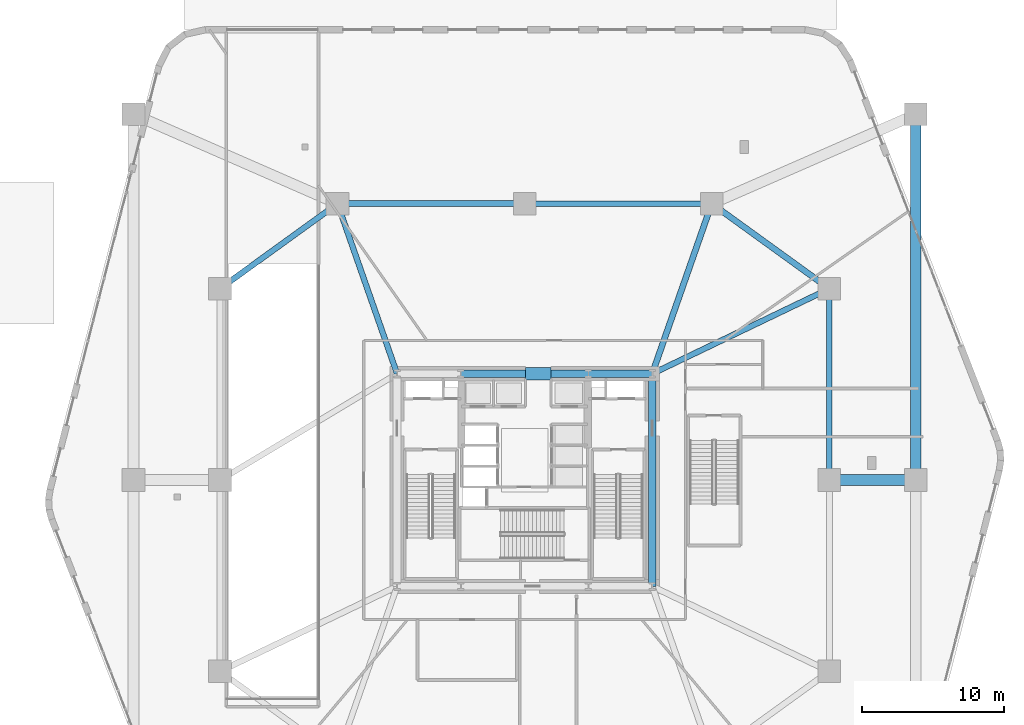
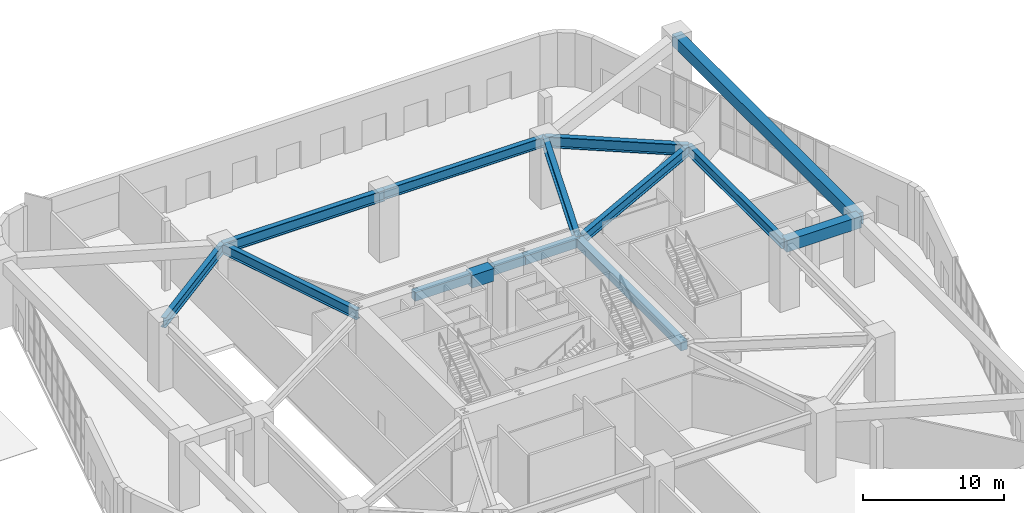
# One storey, part 18 of 35: 14 beams.
"""IFC4 building model written with IfcOpenShell, lengths in metres."""

from ifc_helpers import new_model, si_unit, direction, frame, origin, origin_2d, place, context, subcontext, project, spatial, rectangle, i_section, extrude, material, material_profile, profile_set, type_object, element, save


model = new_model("IFC4")

# Units and contexts
model_context = context("Model", 3, precision=1e-05, world=origin(), true_north=direction((0.0, 1.0)))
body_context = subcontext(model_context, "Body", "Model", "MODEL_VIEW")
ifc_project = project(units=[si_unit("LENGTHUNIT", "METRE"), si_unit("AREAUNIT", "SQUARE_METRE"), si_unit("VOLUMEUNIT", "CUBIC_METRE"), si_unit("PLANEANGLEUNIT", "RADIAN"), si_unit("MASSUNIT", "GRAM", prefix="KILO")], contexts=[model_context])

# Site, building, storey
site_placement = place(None, origin())
site = spatial("IfcSite", under=ifc_project, at=site_placement, CompositionType="ELEMENT")
building_placement = place(site_placement, origin())
building = spatial("IfcBuilding", under=site, at=building_placement, Name="Kilnhurst Terrace Hotel", CompositionType="ELEMENT")
storey_placement = place(building_placement, origin())
storey = spatial("IfcBuildingStorey", under=building, at=storey_placement, Name="L00", CompositionType="ELEMENT", Elevation=0.0)

# Beams
ifc_material_1 = material(Name="Concrete C50/60", Category="concrete")
ifc_material_profile_1 = material_profile(ifc_material_1, rectangle(XDim=0.550048828125, YDim=0.75, at=origin_2d()), Name="RC550X750")
ifc_profile_set_1 = profile_set([ifc_material_profile_1], Name="Concrete C50/60")
beam_type_1 = type_object("IfcBeamType", Name="BM-SPN-550X750", PredefinedType="SPANDREL", material=ifc_profile_set_1)
beam_1_placement = place(storey_placement, frame((-4.5, 7.5, 5.304931640625), z_axis=(1.0, 0.0, 0.0), x_axis=(0.0, 1.0, 0.0)))
element("IfcBeam", 1, at=beam_1_placement, inside=storey, type_object=beam_type_1, Name="L00 Core Tie Beam CC-NC1 to CC-NC2", PredefinedType="SPANDREL", context=body_context, shape_type="SweptSolid", body=[
    extrude(rectangle(XDim=0.550048828125, YDim=0.75, at=origin_2d()), origin(), (0.0, 0.0, 1.0), 9.0),
])
beam_2_placement = place(storey_placement, frame((4.5, 7.5, 5.304931640625), z_axis=(1.0, 0.0, 0.0), x_axis=(0.0, 1.0, 0.0)))
element("IfcBeam", 2, at=beam_2_placement, inside=storey, type_object=beam_type_1, Name="L00 Core Tie Beam CC-NC2 to CC-NE", PredefinedType="SPANDREL", context=body_context, shape_type="SweptSolid", body=[
    extrude(rectangle(XDim=0.550048828125, YDim=0.75, at=origin_2d()), origin(), (0.0, 0.0, 1.0), 4.5),
])
beam_3_placement = place(storey_placement, frame((9.0, -7.5, 5.304931640625), z_axis=(0.0, 1.0, 0.0), x_axis=(-1.0, 0.0, 0.0)))
element("IfcBeam", 3, at=beam_3_placement, inside=storey, type_object=beam_type_1, Name="L00 Core Tie Beam CC-SE to CC-NE", PredefinedType="SPANDREL", context=body_context, shape_type="SweptSolid", body=[
    extrude(rectangle(XDim=0.550048828125, YDim=0.75, at=origin_2d()), origin(), (0.0, 0.0, 1.0), 15.0),
])
ifc_material_2 = material(Name="Steel ASTM A992 Grade 50", Category="steel")
ifc_material_profile_2 = material_profile(ifc_material_2, i_section(OverallWidth=0.39990234375, OverallDepth=0.85546875, WebThickness=0.018310546875, FlangeThickness=0.029296875, at=origin_2d()), Name="W33X201")
ifc_profile_set_2 = profile_set([ifc_material_profile_2], Name="Steel ASTM A992 Grade 50")
beam_type_2 = type_object("IfcBeamType", Name="BM-STL-W33X201", PredefinedType="BEAM", material=ifc_profile_set_2)
beam_4_placement = place(storey_placement, frame((-21.5, 13.5, 5.251953125), z_axis=(0.810423314702, 0.585844732833, 0.0), x_axis=(-0.585844732833, 0.810423314702, 0.0)))
element("IfcBeam", 4, at=beam_4_placement, inside=storey, type_object=beam_type_2, Name="L00 Podium Frame Beam 3", PredefinedType="BEAM", context=body_context, shape_type="SweptSolid", body=[
    extrude(i_section(OverallWidth=0.39990234375, OverallDepth=0.85546875, WebThickness=0.018310546875, FlangeThickness=0.029296875, at=origin_2d()), origin(), (0.0, 0.0, 1.0), 10.24169921875),
])
beam_5_placement = place(storey_placement, frame((0.0, 19.5, 5.251953125), z_axis=(1.0, 0.0, 0.0), x_axis=(0.0, 1.0, 0.0)))
element("IfcBeam", 5, at=beam_5_placement, inside=storey, type_object=beam_type_2, Name="L00 Podium Frame Beam 5", PredefinedType="BEAM", context=body_context, shape_type="SweptSolid", body=[
    extrude(i_section(OverallWidth=0.39990234375, OverallDepth=0.85546875, WebThickness=0.018310546875, FlangeThickness=0.029296875, at=origin_2d()), origin(), (0.0, 0.0, 1.0), 13.199951171875),
])
beam_6_placement = place(storey_placement, frame((21.5, 13.5, 5.251953125), z_axis=(0.0, -1.0, 0.0), x_axis=(1.0, 0.0, 0.0)))
element("IfcBeam", 6, at=beam_6_placement, inside=storey, type_object=beam_type_2, Name="L00 Podium Frame Beam 7", PredefinedType="BEAM", context=body_context, shape_type="SweptSolid", body=[
    extrude(i_section(OverallWidth=0.39990234375, OverallDepth=0.85546875, WebThickness=0.018310546875, FlangeThickness=0.029296875, at=origin_2d()), origin(), (0.0, 0.0, 1.0), 13.5),
])
beam_7_placement = place(storey_placement, frame((21.5, 13.5, 5.251953125), z_axis=(-0.901523057468, -0.432731067585, 0.0), x_axis=(0.432731067585, -0.901523057468, 0.0)))
element("IfcBeam", 7, at=beam_7_placement, inside=storey, type_object=beam_type_2, Name="L00 Podium Frame Beam 11", PredefinedType="BEAM", context=body_context, shape_type="SweptSolid", body=[
    extrude(i_section(OverallWidth=0.39990234375, OverallDepth=0.85546875, WebThickness=0.018310546875, FlangeThickness=0.029296875, at=origin_2d()), origin(), (0.0, 0.0, 1.0), 13.865478515625),
])
beam_8_placement = place(storey_placement, frame((-13.199951171875, 19.5, 5.251953125), z_axis=(0.330347003279, -0.943859553866, 0.0), x_axis=(0.943859553866, 0.330347003279, 0.0)))
element("IfcBeam", 8, at=beam_8_placement, inside=storey, type_object=beam_type_2, Name="L00 Podium Frame Beam 13", PredefinedType="BEAM", context=body_context, shape_type="SweptSolid", body=[
    extrude(i_section(OverallWidth=0.39990234375, OverallDepth=0.85546875, WebThickness=0.018310546875, FlangeThickness=0.029296875, at=origin_2d()), origin(), (0.0, 0.0, 1.0), 12.7138671875),
])
ifc_material_profile_3 = material_profile(ifc_material_2, i_section(OverallWidth=0.423095703125, OverallDepth=0.9482421875, WebThickness=0.02392578125, FlangeThickness=0.042724609375, at=origin_2d()), Name="W36X302")
ifc_profile_set_3 = profile_set([ifc_material_profile_3], Name="Steel ASTM A992 Grade 50")
beam_type_3 = type_object("IfcBeamType", Name="BM-STL-W36X302", PredefinedType="BEAM", material=ifc_profile_set_3)
beam_9_placement = place(storey_placement, frame((-13.199951171875, 19.5, 5.2060546875), z_axis=(1.0, 0.0, 0.0), x_axis=(0.0, 1.0, 0.0)))
element("IfcBeam", 9, at=beam_9_placement, inside=storey, type_object=beam_type_3, Name="L00 Podium Frame Beam 4", PredefinedType="BEAM", context=body_context, shape_type="SweptSolid", body=[
    extrude(i_section(OverallWidth=0.423095703125, OverallDepth=0.9482421875, WebThickness=0.02392578125, FlangeThickness=0.042724609375, at=origin_2d()), origin(), (0.0, 0.0, 1.0), 13.199951171875),
])
beam_10_placement = place(storey_placement, frame((13.199951171875, 19.5, 5.2060546875), z_axis=(0.810423314702, -0.585844732833, 0.0), x_axis=(0.585844732833, 0.810423314702, 0.0)))
element("IfcBeam", 10, at=beam_10_placement, inside=storey, type_object=beam_type_3, Name="L00 Podium Frame Beam 6", PredefinedType="BEAM", context=body_context, shape_type="SweptSolid", body=[
    extrude(i_section(OverallWidth=0.423095703125, OverallDepth=0.9482421875, WebThickness=0.02392578125, FlangeThickness=0.042724609375, at=origin_2d()), origin(), (0.0, 0.0, 1.0), 10.24169921875),
])
beam_11_placement = place(storey_placement, frame((13.199951171875, 19.5, 5.2060546875), z_axis=(-0.330347003279, -0.943859553866, 0.0), x_axis=(0.943859553866, -0.330347003279, 0.0)))
element("IfcBeam", 11, at=beam_11_placement, inside=storey, type_object=beam_type_3, Name="L00 Podium Frame Beam 14", PredefinedType="BEAM", context=body_context, shape_type="SweptSolid", body=[
    extrude(i_section(OverallWidth=0.423095703125, OverallDepth=0.9482421875, WebThickness=0.02392578125, FlangeThickness=0.042724609375, at=origin_2d()), origin(), (0.0, 0.0, 1.0), 12.7138671875),
])
ifc_material_3 = material(Name="Concrete C80/95", Category="concrete")
ifc_material_profile_4 = material_profile(ifc_material_3, rectangle(XDim=0.89990234375, YDim=1.10009765625, at=origin_2d()), Name="RC900X1100")
ifc_profile_set_4 = profile_set([ifc_material_profile_4], Name="Concrete C80/95")
beam_type_4 = type_object("IfcBeamType", Name="LNT-CB-900X1100", PredefinedType="LINTEL", material=ifc_profile_set_4)
beam_12_placement = place(storey_placement, frame((0.050048828125, 7.5, 5.1298828125), z_axis=(1.0, 0.0, 0.0), x_axis=(0.0, 1.0, 0.0)))
element("IfcBeam", 12, at=beam_12_placement, inside=storey, type_object=beam_type_4, Name="L00 North Core Coupling Link Beam", PredefinedType="LINTEL", context=body_context, shape_type="SweptSolid", body=[
    extrude(rectangle(XDim=0.89990234375, YDim=1.10009765625, at=origin_2d()), origin(), (0.0, 0.0, 1.0), 1.800048828125),
])
ifc_material_profile_5 = material_profile(ifc_material_1, rectangle(XDim=0.75, YDim=1.0, at=origin_2d()), Name="RC750X1000")
ifc_profile_set_5 = profile_set([ifc_material_profile_5], Name="Concrete C50/60")
beam_type_5 = type_object("IfcBeamType", Name="TBM-GAR-750X1000", PredefinedType="T_BEAM", material=ifc_profile_set_5)
beam_13_placement = place(storey_placement, frame((27.60009765625, 0.0, 5.179931640625), z_axis=(0.0, 1.0, 0.0), x_axis=(-1.0, 0.0, 0.0)))
element("IfcBeam", 13, at=beam_13_placement, inside=storey, type_object=beam_type_5, Name="L00 Outer Ring Tee Beam 5", PredefinedType="T_BEAM", context=body_context, shape_type="SweptSolid", body=[
    extrude(rectangle(XDim=0.75, YDim=1.0, at=origin_2d()), origin(), (0.0, 0.0, 1.0), 25.800048828125),
])
beam_14_placement = place(storey_placement, frame((27.60009765625, 0.0, 5.179931640625), z_axis=(-1.0, 0.0, 0.0), x_axis=(0.0, -1.0, 0.0)))
element("IfcBeam", 14, at=beam_14_placement, inside=storey, type_object=beam_type_5, Name="L00 Outer Ring Tee Beam 8", PredefinedType="T_BEAM", context=body_context, shape_type="SweptSolid", body=[
    extrude(rectangle(XDim=0.75, YDim=1.0, at=origin_2d()), origin(), (0.0, 0.0, 1.0), 6.10009765625),
])

save(model, "model.ifc")
